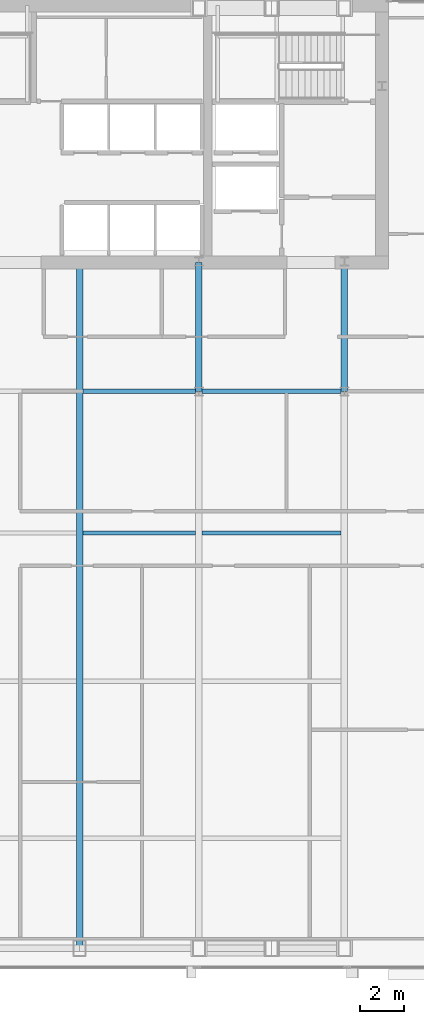
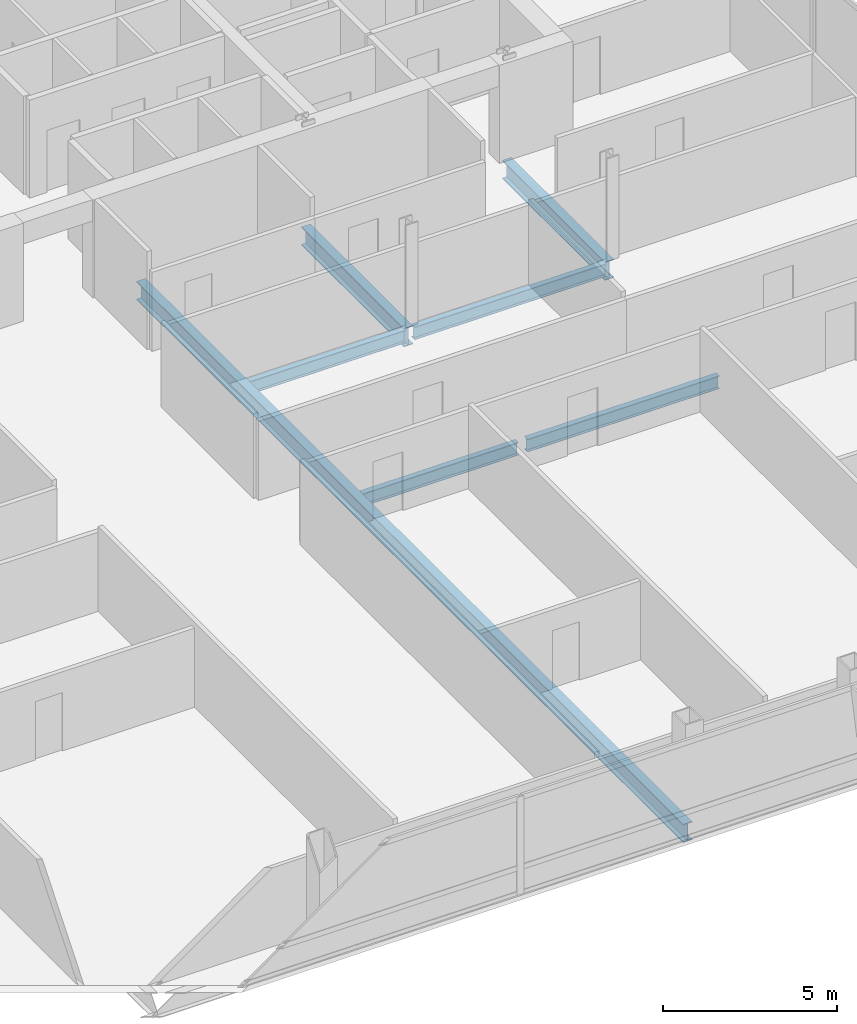
# One storey, part 17 of 30: 7 beams.
"""IFC4 building model written with IfcOpenShell, lengths in metres."""

from ifc_helpers import new_model, si_unit, direction, frame, origin, origin_2d, place, context, subcontext, project, spatial, i_section, extrude, material, material_profile, profile_set, type_object, element, save


model = new_model("IFC4")

# Units and contexts
model_context = context("Model", 3, precision=1e-05, world=origin(), true_north=direction((0.0, 1.0)))
body_context = subcontext(model_context, "Body", "Model", "MODEL_VIEW")
ifc_project = project(units=[si_unit("LENGTHUNIT", "METRE"), si_unit("AREAUNIT", "SQUARE_METRE"), si_unit("VOLUMEUNIT", "CUBIC_METRE"), si_unit("PLANEANGLEUNIT", "RADIAN"), si_unit("MASSUNIT", "GRAM", prefix="KILO")], contexts=[model_context])

# Site, building, storey
site_placement = place(None, origin())
site = spatial("IfcSite", under=ifc_project, at=site_placement, CompositionType="ELEMENT")
building_placement = place(site_placement, origin())
building = spatial("IfcBuilding", under=site, at=building_placement, Name="Khoronbel Lancet Exchange", CompositionType="ELEMENT")
storey_placement = place(building_placement, frame((0.0, 0.0, 239.0)))
storey = spatial("IfcBuildingStorey", under=building, at=storey_placement, Name="L61", CompositionType="ELEMENT", Elevation=239.0)

# Beams
ifc_material = material(Name="Steel S355", Category="steel")
ifc_material_profile_1 = material_profile(ifc_material, i_section(OverallWidth=0.300048828125, OverallDepth=0.64990234375, WebThickness=0.01611328125, FlangeThickness=0.031005859375, at=origin_2d()), Name="HEB 650")
ifc_profile_set_1 = profile_set([ifc_material_profile_1], Name="Steel S355")
beam_type_1 = type_object("IfcBeamType", Name="BM-BG4", PredefinedType="BEAM", material=ifc_profile_set_1)
beam_1_placement = place(storey_placement, frame((42.52490234375, 10.14990234375, -0.485107421875), z_axis=(0.0, 1.0, 0.0), x_axis=(-1.0, 0.0, 0.0)))
element("IfcBeam", 1, at=beam_1_placement, inside=storey, type_object=beam_type_1, Name="Level L61 primary floor girder G4", PredefinedType="BEAM", context=body_context, shape_type="SweptSolid", body=[
    extrude(i_section(OverallWidth=0.300048828125, OverallDepth=0.64990234375, WebThickness=0.01611328125, FlangeThickness=0.031005859375, at=origin_2d()), origin(), (0.0, 0.0, 1.0), 31.4501953125),
])
for number, where, z_axis, x_axis, name in (
    (2, (48.0, 35.699951171875, -0.485107421875), (0.0, 1.0, 0.0), (-1.0, 0.0, 0.0), "Level L61 spine tie girder GN5"),
    (3, (54.675048828125, 35.699951171875, -0.485107421875), (0.0, 1.0, 0.0), (-1.0, 0.0, 0.0), "Level L61 spine tie girder GN6"),
):
    element("IfcBeam", number, at=place(storey_placement, frame(where, z_axis=z_axis, x_axis=x_axis)), inside=storey, type_object=beam_type_1, Name=name, PredefinedType="BEAM", context=body_context, shape_type="SweptSolid", body=[
        extrude(i_section(OverallWidth=0.300048828125, OverallDepth=0.64990234375, WebThickness=0.01611328125, FlangeThickness=0.031005859375, at=origin_2d()), origin(), (0.0, 0.0, 1.0), 5.900146484375),
    ])
ifc_material_profile_2 = material_profile(ifc_material, i_section(OverallWidth=0.18994140625, OverallDepth=0.449951171875, WebThickness=0.009521484375, FlangeThickness=0.0146484375, at=origin_2d()), Name="IPE 450")
ifc_profile_set_2 = profile_set([ifc_material_profile_2], Name="Steel S355")
beam_type_2 = type_object("IfcBeamType", Name="BM-BJ4", PredefinedType="JOIST", material=ifc_profile_set_2)
beam_2_placement = place(storey_placement, frame((42.675048828125, 29.199951171875, -0.385009765625), z_axis=(1.0, 0.0, 0.0), x_axis=(0.0, 1.0, 0.0)))
element("IfcBeam", 4, at=beam_2_placement, inside=storey, type_object=beam_type_2, Name="Level L61 secondary composite joist J14", PredefinedType="JOIST", context=body_context, shape_type="SweptSolid", body=[
    extrude(i_section(OverallWidth=0.18994140625, OverallDepth=0.449951171875, WebThickness=0.009521484375, FlangeThickness=0.0146484375, at=origin_2d()), origin(), (0.0, 0.0, 1.0), 5.175048828125),
])
beam_3_placement = place(storey_placement, frame((48.14990234375, 29.199951171875, -0.385009765625), z_axis=(1.0, 0.0, 0.0), x_axis=(0.0, 1.0, 0.0)))
element("IfcBeam", 5, at=beam_3_placement, inside=storey, type_object=beam_type_2, Name="Level L61 secondary composite joist J15", PredefinedType="JOIST", context=body_context, shape_type="SweptSolid", body=[
    extrude(i_section(OverallWidth=0.18994140625, OverallDepth=0.449951171875, WebThickness=0.009521484375, FlangeThickness=0.0146484375, at=origin_2d()), origin(), (0.0, 0.0, 1.0), 6.375),
])
beam_4_placement = place(storey_placement, frame((42.675048828125, 35.699951171875, -0.385009765625), z_axis=(1.0, 0.0, 0.0), x_axis=(0.0, 1.0, 0.0)))
element("IfcBeam", 6, at=beam_4_placement, inside=storey, type_object=beam_type_2, Name="Level L61 secondary composite joist J19", PredefinedType="JOIST", context=body_context, shape_type="SweptSolid", body=[
    extrude(i_section(OverallWidth=0.18994140625, OverallDepth=0.449951171875, WebThickness=0.009521484375, FlangeThickness=0.0146484375, at=origin_2d()), origin(), (0.0, 0.0, 1.0), 5.175048828125),
])
beam_5_placement = place(storey_placement, frame((48.14990234375, 35.699951171875, -0.385009765625), z_axis=(1.0, 0.0, 0.0), x_axis=(0.0, 1.0, 0.0)))
element("IfcBeam", 7, at=beam_5_placement, inside=storey, type_object=beam_type_2, Name="Level L61 secondary composite joist J20", PredefinedType="JOIST", context=body_context, shape_type="SweptSolid", body=[
    extrude(i_section(OverallWidth=0.18994140625, OverallDepth=0.449951171875, WebThickness=0.009521484375, FlangeThickness=0.0146484375, at=origin_2d()), origin(), (0.0, 0.0, 1.0), 6.375),
])

save(model, "model.ifc")
